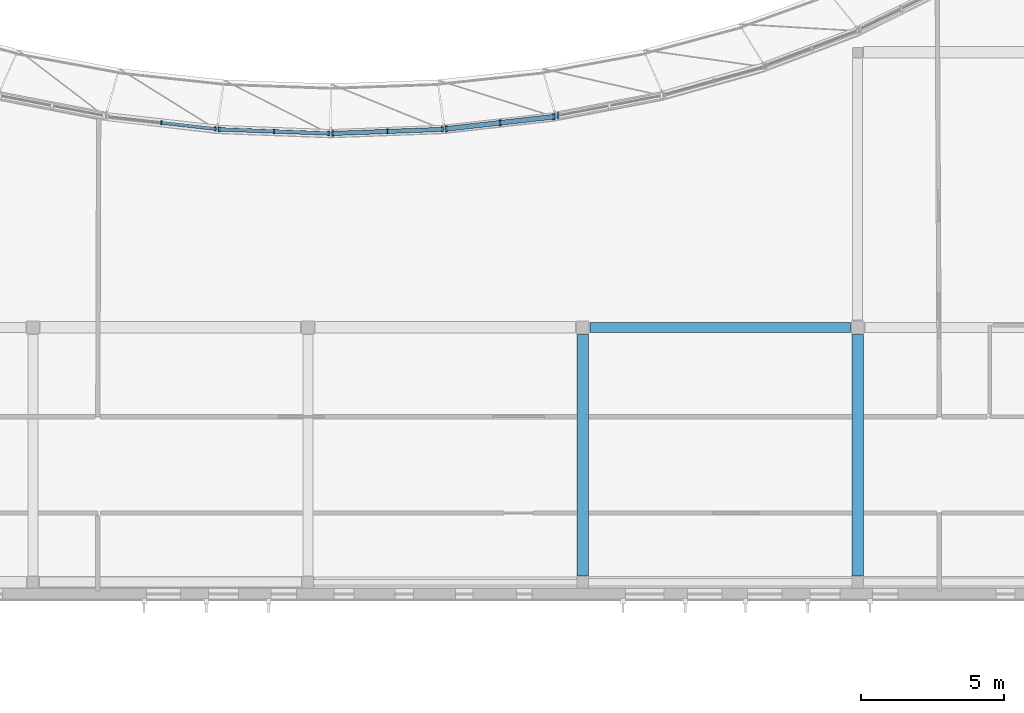
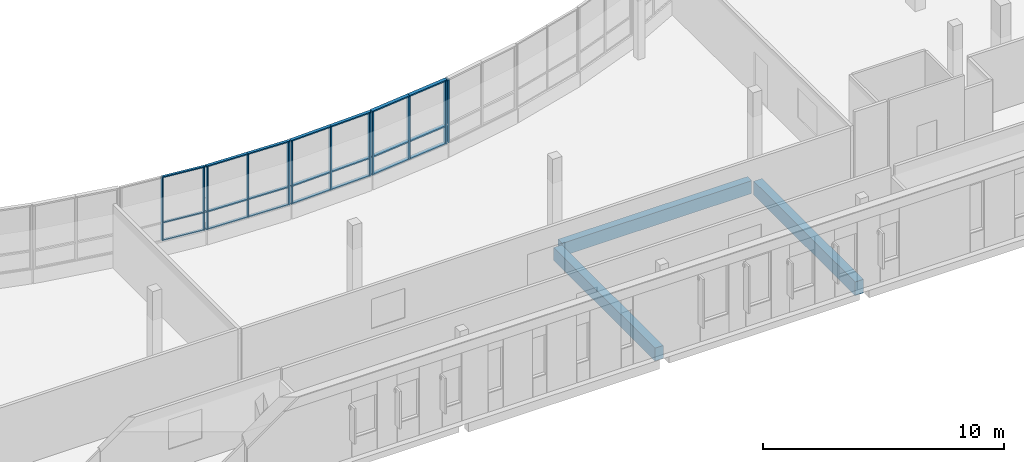
# One storey, part 14 of 73: 33 members, 3 beams, 5 elements without a shape of their own.
"""IFC4 building model written with IfcOpenShell, lengths in metres."""

from ifc_helpers import new_model, si_unit, direction, frame, origin, origin_2d, place, context, subcontext, project, spatial, rectangle, extrude, material, material_profile, profile_set, type_object, element, aggregate, save


model = new_model("IFC4")

# Units and contexts
model_context = context("Model", 3, precision=1e-05, world=origin(), true_north=direction((0.0, 1.0)))
body_context = subcontext(model_context, "Body", "Model", "MODEL_VIEW")
ifc_project = project(units=[si_unit("LENGTHUNIT", "METRE"), si_unit("AREAUNIT", "SQUARE_METRE"), si_unit("VOLUMEUNIT", "CUBIC_METRE"), si_unit("PLANEANGLEUNIT", "RADIAN"), si_unit("MASSUNIT", "GRAM", prefix="KILO")], contexts=[model_context])

# Site, building, storey
site_placement = place(None, origin())
site = spatial("IfcSite", under=ifc_project, at=site_placement, CompositionType="ELEMENT")
building_placement = place(site_placement, origin())
building = spatial("IfcBuilding", under=site, at=building_placement, Name="Mzevani Central Library", CompositionType="ELEMENT")
storey_placement = place(building_placement, frame((0.0, 0.0, 9.60009765625)))
storey = spatial("IfcBuildingStorey", under=building, at=storey_placement, Name="L02", CompositionType="ELEMENT", Elevation=9.60009765625)

# Beams
ifc_material_1 = material(Name="Concrete C35/45", Category="concrete")
ifc_material_profile_1 = material_profile(ifc_material_1, rectangle(XDim=0.35009765625, YDim=0.64990234375, at=origin_2d()), Name="RC B350x650")
ifc_profile_set_1 = profile_set([ifc_material_profile_1], Name="Concrete C35/45")
beam_type_1 = type_object("IfcBeamType", Name="Beam RC 350x650", PredefinedType="BEAM", material=ifc_profile_set_1)
beam_1_placement = place(storey_placement, frame((93.050048828125, 52.0, -0.585205078125), z_axis=(1.0, 0.0, 0.0), x_axis=(0.0, 1.0, 0.0)))
element("IfcBeam", 1, at=beam_1_placement, inside=storey, type_object=beam_type_1, Name="L02 V1 Girder B-05 (96)", PredefinedType="BEAM", context=body_context, shape_type="SweptSolid", body=[
    extrude(rectangle(XDim=0.35009765625, YDim=0.64990234375, at=origin_2d()), origin(), (0.0, 0.0, 1.0), 9.099853515625),
])
ifc_material_profile_2 = material_profile(ifc_material_1, rectangle(XDim=0.39990234375, YDim=0.64990234375, at=origin_2d()), Name="RC B400x650")
ifc_profile_set_2 = profile_set([ifc_material_profile_2], Name="Concrete C35/45")
beam_type_2 = type_object("IfcBeamType", Name="Beam RC 400x650", PredefinedType="BEAM", material=ifc_profile_set_2)
beam_2_placement = place(storey_placement, frame((92.800048828125, 43.324951171875, -0.585205078125), z_axis=(0.0, 1.0, 0.0), x_axis=(-1.0, 0.0, 0.0)))
element("IfcBeam", 2, at=beam_2_placement, inside=storey, type_object=beam_type_2, Name="L02 V1 Frame Beam B-07 (122)", PredefinedType="BEAM", context=body_context, shape_type="SweptSolid", body=[
    extrude(rectangle(XDim=0.39990234375, YDim=0.64990234375, at=origin_2d()), origin(), (0.0, 0.0, 1.0), 8.425048828125),
])
ifc_material_profile_3 = material_profile(ifc_material_1, rectangle(XDim=0.39990234375, YDim=0.699951171875, at=origin_2d()), Name="RC B400x700")
ifc_profile_set_3 = profile_set([ifc_material_profile_3], Name="Concrete C35/45")
beam_type_3 = type_object("IfcBeamType", Name="Beam RC 400x700", PredefinedType="BEAM", material=ifc_profile_set_3)
beam_3_placement = place(storey_placement, frame((102.39990234375, 43.324951171875, -0.610107421875), z_axis=(0.0, 1.0, 0.0), x_axis=(-1.0, 0.0, 0.0)))
element("IfcBeam", 3, at=beam_3_placement, inside=storey, type_object=beam_type_3, Name="L02 V1 Frame Beam B-08 (123)", PredefinedType="BEAM", context=body_context, shape_type="SweptSolid", body=[
    extrude(rectangle(XDim=0.39990234375, YDim=0.699951171875, at=origin_2d()), origin(), (0.0, 0.0, 1.0), 8.425048828125),
])

# Curtain wall, members
ifc_material_2 = material(Name="Thermally broken aluminium and Low-E triple glazing", Category="aluminium")
curtain_wall_type_1 = type_object("IfcCurtainWallType", Name="Elliptical Court Unitised Curtain Wall", PredefinedType="NOTDEFINED", material=ifc_material_2)
curtain_wall_1_placement = place(storey_placement, origin())
curtain_wall_1 = element("IfcCurtainWall", 4, at=curtain_wall_1_placement, inside=storey, type_object=curtain_wall_type_1, Name="L02 Elliptical Court Curtain Wall 35", PredefinedType="NOTDEFINED")
ifc_material_3 = material(Name="Thermally broken aluminium AW-6060", Category="aluminium")
ifc_material_profile_4 = material_profile(ifc_material_3, rectangle(XDim=0.06005859375, YDim=0.139892578125, at=origin_2d()), Name="ALU M60x140")
ifc_profile_set_4 = profile_set([ifc_material_profile_4], Name="Thermally broken aluminium AW-6060")
member_type_1 = type_object("IfcMemberType", Name="CW Mullion 60x140", PredefinedType="MULLION", material=ifc_profile_set_4)
member_1_placement = place(storey_placement, frame((78.0869140625, 59.142578125, 0.719970703125), z_axis=(0.0, 0.0, 1.0), x_axis=(1.0, 0.0, 0.0)))
member_1 = element("IfcMember", 5, at=member_1_placement, type_object=member_type_1, Name="L02 Elliptical Court Curtain Wall 35 Mullion 2", PredefinedType="MULLION", context=body_context, shape_type="SweptSolid", body=[
    extrude(rectangle(XDim=0.06005859375, YDim=0.139892578125, at=origin_2d()), origin(), (0.0, 0.0, 1.0), 3.199951171875),
])
member_2_placement = place(storey_placement, frame((79.961669921875, 58.93115234375, 0.719970703125), z_axis=(0.0, 0.0, 1.0), x_axis=(1.0, 0.0, 0.0)))
member_2 = element("IfcMember", 6, at=member_2_placement, type_object=member_type_1, Name="L02 Elliptical Court Curtain Wall 35 Mullion 3", PredefinedType="MULLION", context=body_context, shape_type="SweptSolid", body=[
    extrude(rectangle(XDim=0.06005859375, YDim=0.139892578125, at=origin_2d()), origin(), (0.0, 0.0, 1.0), 3.199951171875),
])

curtain_wall_2_placement = place(storey_placement, origin())
curtain_wall_2 = element("IfcCurtainWall", 7, at=curtain_wall_2_placement, inside=storey, type_object=curtain_wall_type_1, Name="L02 Elliptical Court Curtain Wall 36", PredefinedType="NOTDEFINED")
ifc_material_profile_5 = material_profile(ifc_material_3, rectangle(XDim=0.06005859375, YDim=0.159912109375, at=origin_2d()), Name="ALU M60x160")
ifc_profile_set_5 = profile_set([ifc_material_profile_5], Name="Thermally broken aluminium AW-6060")
member_type_2 = type_object("IfcMemberType", Name="CW Mullion 60x160", PredefinedType="MULLION", material=ifc_profile_set_5)
member_3_placement = place(storey_placement, frame((80.10888671875, 58.912841796875, 0.719970703125), z_axis=(0.0, 0.0, 1.0), x_axis=(1.0, 0.0, 0.0)))
member_3 = element("IfcMember", 8, at=member_3_placement, type_object=member_type_2, Name="L02 Elliptical Court Curtain Wall 36 Mullion 1", PredefinedType="MULLION", context=body_context, shape_type="SweptSolid", body=[
    extrude(rectangle(XDim=0.06005859375, YDim=0.159912109375, at=origin_2d()), origin(), (0.0, 0.0, 1.0), 3.199951171875),
])
member_4_placement = place(storey_placement, frame((82.016845703125, 58.841796875, 0.719970703125), z_axis=(0.0, 0.0, 1.0), x_axis=(1.0, 0.0, 0.0)))
member_4 = element("IfcMember", 9, at=member_4_placement, type_object=member_type_2, Name="L02 Elliptical Court Curtain Wall 36 Mullion 2", PredefinedType="MULLION", context=body_context, shape_type="SweptSolid", body=[
    extrude(rectangle(XDim=0.06005859375, YDim=0.159912109375, at=origin_2d()), origin(), (0.0, 0.0, 1.0), 3.199951171875),
])
member_5_placement = place(storey_placement, frame((83.9248046875, 58.77099609375, 0.719970703125), z_axis=(0.0, 0.0, 1.0), x_axis=(1.0, 0.0, 0.0)))
member_5 = element("IfcMember", 10, at=member_5_placement, type_object=member_type_2, Name="L02 Elliptical Court Curtain Wall 36 Mullion 3", PredefinedType="MULLION", context=body_context, shape_type="SweptSolid", body=[
    extrude(rectangle(XDim=0.06005859375, YDim=0.159912109375, at=origin_2d()), origin(), (0.0, 0.0, 1.0), 3.199951171875),
])

curtain_wall_type_2 = type_object("IfcCurtainWallType", Name="Reading Hall Northlight Curtain Wall", PredefinedType="NOTDEFINED", material=ifc_material_2)
curtain_wall_3_placement = place(storey_placement, origin())
curtain_wall_3 = element("IfcCurtainWall", 11, at=curtain_wall_3_placement, inside=storey, type_object=curtain_wall_type_2, Name="L02 Elliptical Court Curtain Wall 37", PredefinedType="NOTDEFINED")
ifc_material_profile_6 = material_profile(ifc_material_3, rectangle(XDim=0.06005859375, YDim=0.179931640625, at=origin_2d()), Name="ALU M60x180")
ifc_profile_set_6 = profile_set([ifc_material_profile_6], Name="Thermally broken aluminium AW-6060")
member_type_3 = type_object("IfcMemberType", Name="CW Mullion 60x180", PredefinedType="MULLION", material=ifc_profile_set_6)
member_6_placement = place(storey_placement, frame((84.0751953125, 58.77099609375, 0.719970703125), z_axis=(0.0, 0.0, 1.0), x_axis=(1.0, 0.0, 0.0)))
member_6 = element("IfcMember", 12, at=member_6_placement, type_object=member_type_3, Name="L02 Elliptical Court Curtain Wall 37 Mullion 1", PredefinedType="MULLION", context=body_context, shape_type="SweptSolid", body=[
    extrude(rectangle(XDim=0.06005859375, YDim=0.179931640625, at=origin_2d()), origin(), (0.0, 0.0, 1.0), 3.199951171875),
])
member_7_placement = place(storey_placement, frame((85.983154296875, 58.841796875, 0.719970703125), z_axis=(0.0, 0.0, 1.0), x_axis=(1.0, 0.0, 0.0)))
member_7 = element("IfcMember", 13, at=member_7_placement, type_object=member_type_3, Name="L02 Elliptical Court Curtain Wall 37 Mullion 2", PredefinedType="MULLION", context=body_context, shape_type="SweptSolid", body=[
    extrude(rectangle(XDim=0.06005859375, YDim=0.179931640625, at=origin_2d()), origin(), (0.0, 0.0, 1.0), 3.199951171875),
])
member_8_placement = place(storey_placement, frame((87.89111328125, 58.912841796875, 0.719970703125), z_axis=(0.0, 0.0, 1.0), x_axis=(1.0, 0.0, 0.0)))
member_8 = element("IfcMember", 14, at=member_8_placement, type_object=member_type_3, Name="L02 Elliptical Court Curtain Wall 37 Mullion 3", PredefinedType="MULLION", context=body_context, shape_type="SweptSolid", body=[
    extrude(rectangle(XDim=0.06005859375, YDim=0.179931640625, at=origin_2d()), origin(), (0.0, 0.0, 1.0), 3.199951171875),
])

curtain_wall_4_placement = place(storey_placement, origin())
curtain_wall_4 = element("IfcCurtainWall", 15, at=curtain_wall_4_placement, inside=storey, type_object=curtain_wall_type_1, Name="L02 Elliptical Court Curtain Wall 38", PredefinedType="NOTDEFINED")
ifc_material_profile_7 = material_profile(ifc_material_3, rectangle(XDim=0.06494140625, YDim=0.199951171875, at=origin_2d()), Name="ALU M65x200")
ifc_profile_set_7 = profile_set([ifc_material_profile_7], Name="Thermally broken aluminium AW-6060")
member_type_4 = type_object("IfcMemberType", Name="CW Mullion 65x200", PredefinedType="MULLION", material=ifc_profile_set_7)
member_9_placement = place(storey_placement, frame((88.038330078125, 58.93115234375, 0.719970703125), z_axis=(0.0, 0.0, 1.0), x_axis=(1.0, 0.0, 0.0)))
member_9 = element("IfcMember", 16, at=member_9_placement, type_object=member_type_4, Name="L02 Elliptical Court Curtain Wall 38 Mullion 1", PredefinedType="MULLION", context=body_context, shape_type="SweptSolid", body=[
    extrude(rectangle(XDim=0.06494140625, YDim=0.199951171875, at=origin_2d()), origin(), (0.0, 0.0, 1.0), 3.199951171875),
])
member_10_placement = place(storey_placement, frame((89.9130859375, 59.142578125, 0.719970703125), z_axis=(0.0, 0.0, 1.0), x_axis=(1.0, 0.0, 0.0)))
member_10 = element("IfcMember", 17, at=member_10_placement, type_object=member_type_4, Name="L02 Elliptical Court Curtain Wall 38 Mullion 2", PredefinedType="MULLION", context=body_context, shape_type="SweptSolid", body=[
    extrude(rectangle(XDim=0.06494140625, YDim=0.199951171875, at=origin_2d()), origin(), (0.0, 0.0, 1.0), 3.199951171875),
])
member_11_placement = place(storey_placement, frame((91.787841796875, 59.354248046875, 0.719970703125), z_axis=(0.0, 0.0, 1.0), x_axis=(1.0, 0.0, 0.0)))
member_11 = element("IfcMember", 18, at=member_11_placement, type_object=member_type_4, Name="L02 Elliptical Court Curtain Wall 38 Mullion 3", PredefinedType="MULLION", context=body_context, shape_type="SweptSolid", body=[
    extrude(rectangle(XDim=0.06494140625, YDim=0.199951171875, at=origin_2d()), origin(), (0.0, 0.0, 1.0), 3.199951171875),
])

# Curtain wall, member
curtain_wall_5_placement = place(storey_placement, origin())
curtain_wall_5 = element("IfcCurtainWall", 19, at=curtain_wall_5_placement, inside=storey, type_object=curtain_wall_type_1, Name="L02 Elliptical Court Curtain Wall 39", PredefinedType="NOTDEFINED")
ifc_material_profile_8 = material_profile(ifc_material_3, rectangle(XDim=0.070068359375, YDim=0.219970703125, at=origin_2d()), Name="ALU M70x220")
ifc_profile_set_8 = profile_set([ifc_material_profile_8], Name="Thermally broken aluminium AW-6060")
member_type_5 = type_object("IfcMemberType", Name="CW Mullion 70x220", PredefinedType="MULLION", material=ifc_profile_set_8)
member_12_placement = place(storey_placement, frame((91.9267578125, 59.387939453125, 0.719970703125), z_axis=(0.0, 0.0, 1.0), x_axis=(1.0, 0.0, 0.0)))
member_12 = element("IfcMember", 20, at=member_12_placement, type_object=member_type_5, Name="L02 Elliptical Court Curtain Wall 39 Mullion 1", PredefinedType="MULLION", context=body_context, shape_type="SweptSolid", body=[
    extrude(rectangle(XDim=0.070068359375, YDim=0.219970703125, at=origin_2d()), origin(), (0.0, 0.0, 1.0), 3.199951171875),
])
aggregate(curtain_wall_5, [member_12])

# Member
ifc_material_profile_9 = material_profile(ifc_material_3, rectangle(XDim=0.110107421875, YDim=0.06005859375, at=origin_2d()), Name="ALU T60x110")
ifc_profile_set_9 = profile_set([ifc_material_profile_9], Name="Thermally broken aluminium AW-6060")
member_type_6 = type_object("IfcMemberType", Name="CW Transom 60x110", PredefinedType="USERDEFINED", material=ifc_profile_set_9)
member_13_placement = place(storey_placement, frame((78.0869140625, 59.142578125, 0.719970703125), z_axis=(0.993700995869, -0.11206395856, 0.0), x_axis=(0.11206395856, 0.993700995869, 0.0)))
member_13 = element("IfcMember", 21, at=member_13_placement, type_object=member_type_6, Name="L02 Elliptical Court Curtain Wall 35 Transom 4", ObjectType="TRANSOM", PredefinedType="USERDEFINED", context=body_context, shape_type="SweptSolid", body=[
    extrude(rectangle(XDim=0.110107421875, YDim=0.06005859375, at=origin_2d()), origin(), (0.0, 0.0, 1.0), 1.936767578125),
])

member_14_placement = place(storey_placement, frame((78.0869140625, 59.142578125, 1.619873046875), z_axis=(0.993700995869, -0.11206395856, 0.0), x_axis=(0.11206395856, 0.993700995869, 0.0)))
member_14 = element("IfcMember", 22, at=member_14_placement, type_object=member_type_6, Name="L02 Elliptical Court Curtain Wall 35 Transom 5", ObjectType="TRANSOM", PredefinedType="USERDEFINED", context=body_context, shape_type="SweptSolid", body=[
    extrude(rectangle(XDim=0.110107421875, YDim=0.06005859375, at=origin_2d()), origin(), (0.0, 0.0, 1.0), 1.936767578125),
])

member_15_placement = place(storey_placement, frame((78.0869140625, 59.142578125, 3.919921875), z_axis=(0.993700995869, -0.11206395856, 0.0), x_axis=(0.11206395856, 0.993700995869, 0.0)))
member_15 = element("IfcMember", 23, at=member_15_placement, type_object=member_type_6, Name="L02 Elliptical Court Curtain Wall 35 Transom 6", ObjectType="TRANSOM", PredefinedType="USERDEFINED", context=body_context, shape_type="SweptSolid", body=[
    extrude(rectangle(XDim=0.110107421875, YDim=0.06005859375, at=origin_2d()), origin(), (0.0, 0.0, 1.0), 1.936767578125),
])

aggregate(curtain_wall_1, [member_1, member_2, member_13, member_14, member_15])

ifc_material_profile_10 = material_profile(ifc_material_3, rectangle(XDim=0.1298828125, YDim=0.06005859375, at=origin_2d()), Name="ALU T60x130")
ifc_profile_set_10 = profile_set([ifc_material_profile_10], Name="Thermally broken aluminium AW-6060")
member_type_7 = type_object("IfcMemberType", Name="CW Transom 60x130", PredefinedType="USERDEFINED", material=ifc_profile_set_10)
member_16_placement = place(storey_placement, frame((80.05908203125, 58.914794921875, 0.719970703125), z_axis=(0.999305584511, -0.037260552409, 0.0), x_axis=(0.037260552409, 0.999305584511, 0.0)))
member_16 = element("IfcMember", 24, at=member_16_placement, type_object=member_type_7, Name="L02 Elliptical Court Curtain Wall 36 Transom 1", ObjectType="TRANSOM", PredefinedType="USERDEFINED", context=body_context, shape_type="SweptSolid", body=[
    extrude(rectangle(XDim=0.1298828125, YDim=0.06005859375, at=origin_2d()), origin(), (0.0, 0.0, 1.0), 1.959228515625),
])

member_17_placement = place(storey_placement, frame((80.05908203125, 58.914794921875, 1.619873046875), z_axis=(0.999305584511, -0.037260552409, 0.0), x_axis=(0.037260552409, 0.999305584511, 0.0)))
member_17 = element("IfcMember", 25, at=member_17_placement, type_object=member_type_7, Name="L02 Elliptical Court Curtain Wall 36 Transom 2", ObjectType="TRANSOM", PredefinedType="USERDEFINED", context=body_context, shape_type="SweptSolid", body=[
    extrude(rectangle(XDim=0.1298828125, YDim=0.06005859375, at=origin_2d()), origin(), (0.0, 0.0, 1.0), 1.959228515625),
])

member_18_placement = place(storey_placement, frame((80.05908203125, 58.914794921875, 3.919921875), z_axis=(0.999305584511, -0.037260552409, 0.0), x_axis=(0.037260552409, 0.999305584511, 0.0)))
member_18 = element("IfcMember", 26, at=member_18_placement, type_object=member_type_7, Name="L02 Elliptical Court Curtain Wall 36 Transom 3", ObjectType="TRANSOM", PredefinedType="USERDEFINED", context=body_context, shape_type="SweptSolid", body=[
    extrude(rectangle(XDim=0.1298828125, YDim=0.06005859375, at=origin_2d()), origin(), (0.0, 0.0, 1.0), 1.959228515625),
])

member_19_placement = place(storey_placement, frame((82.016845703125, 58.841796875, 0.719970703125), z_axis=(0.999310216866, -0.037136107323, 0.0), x_axis=(0.037136107323, 0.999310216866, 0.0)))
member_19 = element("IfcMember", 27, at=member_19_placement, type_object=member_type_7, Name="L02 Elliptical Court Curtain Wall 36 Transom 4", ObjectType="TRANSOM", PredefinedType="USERDEFINED", context=body_context, shape_type="SweptSolid", body=[
    extrude(rectangle(XDim=0.1298828125, YDim=0.06005859375, at=origin_2d()), origin(), (0.0, 0.0, 1.0), 1.959228515625),
])

member_20_placement = place(storey_placement, frame((82.016845703125, 58.841796875, 1.619873046875), z_axis=(0.999310216866, -0.037136107323, 0.0), x_axis=(0.037136107323, 0.999310216866, 0.0)))
member_20 = element("IfcMember", 28, at=member_20_placement, type_object=member_type_7, Name="L02 Elliptical Court Curtain Wall 36 Transom 5", ObjectType="TRANSOM", PredefinedType="USERDEFINED", context=body_context, shape_type="SweptSolid", body=[
    extrude(rectangle(XDim=0.1298828125, YDim=0.06005859375, at=origin_2d()), origin(), (0.0, 0.0, 1.0), 1.959228515625),
])

member_21_placement = place(storey_placement, frame((82.016845703125, 58.841796875, 3.919921875), z_axis=(0.999310216866, -0.037136107323, 0.0), x_axis=(0.037136107323, 0.999310216866, 0.0)))
member_21 = element("IfcMember", 29, at=member_21_placement, type_object=member_type_7, Name="L02 Elliptical Court Curtain Wall 36 Transom 6", ObjectType="TRANSOM", PredefinedType="USERDEFINED", context=body_context, shape_type="SweptSolid", body=[
    extrude(rectangle(XDim=0.1298828125, YDim=0.06005859375, at=origin_2d()), origin(), (0.0, 0.0, 1.0), 1.959228515625),
])

aggregate(curtain_wall_2, [member_3, member_4, member_5, member_16, member_17, member_18, member_19, member_20, member_21])

ifc_material_profile_11 = material_profile(ifc_material_3, rectangle(XDim=0.14990234375, YDim=0.06005859375, at=origin_2d()), Name="ALU T60x150")
ifc_profile_set_11 = profile_set([ifc_material_profile_11], Name="Thermally broken aluminium AW-6060")
member_type_8 = type_object("IfcMemberType", Name="CW Transom 60x150", PredefinedType="USERDEFINED", material=ifc_profile_set_11)
member_22_placement = place(storey_placement, frame((84.025390625, 58.76904296875, 0.719970703125), z_axis=(0.999310216866, 0.037136107323, 0.0), x_axis=(-0.037136107323, 0.999310216866, 0.0)))
member_22 = element("IfcMember", 30, at=member_22_placement, type_object=member_type_8, Name="L02 Elliptical Court Curtain Wall 37 Transom 1", ObjectType="TRANSOM", PredefinedType="USERDEFINED", context=body_context, shape_type="SweptSolid", body=[
    extrude(rectangle(XDim=0.14990234375, YDim=0.06005859375, at=origin_2d()), origin(), (0.0, 0.0, 1.0), 1.959228515625),
])

member_23_placement = place(storey_placement, frame((84.025390625, 58.76904296875, 1.619873046875), z_axis=(0.999310216866, 0.037136107323, 0.0), x_axis=(-0.037136107323, 0.999310216866, 0.0)))
member_23 = element("IfcMember", 31, at=member_23_placement, type_object=member_type_8, Name="L02 Elliptical Court Curtain Wall 37 Transom 2", ObjectType="TRANSOM", PredefinedType="USERDEFINED", context=body_context, shape_type="SweptSolid", body=[
    extrude(rectangle(XDim=0.14990234375, YDim=0.06005859375, at=origin_2d()), origin(), (0.0, 0.0, 1.0), 1.959228515625),
])

member_24_placement = place(storey_placement, frame((84.025390625, 58.76904296875, 3.919921875), z_axis=(0.999310216866, 0.037136107323, 0.0), x_axis=(-0.037136107323, 0.999310216866, 0.0)))
member_24 = element("IfcMember", 32, at=member_24_placement, type_object=member_type_8, Name="L02 Elliptical Court Curtain Wall 37 Transom 3", ObjectType="TRANSOM", PredefinedType="USERDEFINED", context=body_context, shape_type="SweptSolid", body=[
    extrude(rectangle(XDim=0.14990234375, YDim=0.06005859375, at=origin_2d()), origin(), (0.0, 0.0, 1.0), 1.959228515625),
])

member_25_placement = place(storey_placement, frame((85.983154296875, 58.841796875, 0.719970703125), z_axis=(0.999305584511, 0.037260552409, 0.0), x_axis=(-0.037260552409, 0.999305584511, 0.0)))
member_25 = element("IfcMember", 33, at=member_25_placement, type_object=member_type_8, Name="L02 Elliptical Court Curtain Wall 37 Transom 4", ObjectType="TRANSOM", PredefinedType="USERDEFINED", context=body_context, shape_type="SweptSolid", body=[
    extrude(rectangle(XDim=0.14990234375, YDim=0.06005859375, at=origin_2d()), origin(), (0.0, 0.0, 1.0), 1.959228515625),
])

member_26_placement = place(storey_placement, frame((85.983154296875, 58.841796875, 1.619873046875), z_axis=(0.999305584511, 0.037260552409, 0.0), x_axis=(-0.037260552409, 0.999305584511, 0.0)))
member_26 = element("IfcMember", 34, at=member_26_placement, type_object=member_type_8, Name="L02 Elliptical Court Curtain Wall 37 Transom 5", ObjectType="TRANSOM", PredefinedType="USERDEFINED", context=body_context, shape_type="SweptSolid", body=[
    extrude(rectangle(XDim=0.14990234375, YDim=0.06005859375, at=origin_2d()), origin(), (0.0, 0.0, 1.0), 1.959228515625),
])

member_27_placement = place(storey_placement, frame((85.983154296875, 58.841796875, 3.919921875), z_axis=(0.999305584511, 0.037260552409, 0.0), x_axis=(-0.037260552409, 0.999305584511, 0.0)))
member_27 = element("IfcMember", 35, at=member_27_placement, type_object=member_type_8, Name="L02 Elliptical Court Curtain Wall 37 Transom 6", ObjectType="TRANSOM", PredefinedType="USERDEFINED", context=body_context, shape_type="SweptSolid", body=[
    extrude(rectangle(XDim=0.14990234375, YDim=0.06005859375, at=origin_2d()), origin(), (0.0, 0.0, 1.0), 1.959228515625),
])

aggregate(curtain_wall_3, [member_6, member_7, member_8, member_22, member_23, member_24, member_25, member_26, member_27])

ifc_material_profile_12 = material_profile(ifc_material_3, rectangle(XDim=0.169921875, YDim=0.06494140625, at=origin_2d()), Name="ALU T65x170")
ifc_profile_set_12 = profile_set([ifc_material_profile_12], Name="Thermally broken aluminium AW-6060")
member_type_9 = type_object("IfcMemberType", Name="CW Transom 65x170", PredefinedType="USERDEFINED", material=ifc_profile_set_12)
member_28_placement = place(storey_placement, frame((87.988525390625, 58.925537109375, 0.719970703125), z_axis=(0.993700995869, 0.11206395856, 0.0), x_axis=(-0.11206395856, 0.993700995869, 0.0)))
member_28 = element("IfcMember", 36, at=member_28_placement, type_object=member_type_9, Name="L02 Elliptical Court Curtain Wall 38 Transom 1", ObjectType="TRANSOM", PredefinedType="USERDEFINED", context=body_context, shape_type="SweptSolid", body=[
    extrude(rectangle(XDim=0.169921875, YDim=0.06494140625, at=origin_2d()), origin(), (0.0, 0.0, 1.0), 1.936767578125),
])

member_29_placement = place(storey_placement, frame((87.988525390625, 58.925537109375, 1.619873046875), z_axis=(0.993700995869, 0.11206395856, 0.0), x_axis=(-0.11206395856, 0.993700995869, 0.0)))
member_29 = element("IfcMember", 37, at=member_29_placement, type_object=member_type_9, Name="L02 Elliptical Court Curtain Wall 38 Transom 2", ObjectType="TRANSOM", PredefinedType="USERDEFINED", context=body_context, shape_type="SweptSolid", body=[
    extrude(rectangle(XDim=0.169921875, YDim=0.06494140625, at=origin_2d()), origin(), (0.0, 0.0, 1.0), 1.936767578125),
])

member_30_placement = place(storey_placement, frame((87.988525390625, 58.925537109375, 3.919921875), z_axis=(0.993700995869, 0.11206395856, 0.0), x_axis=(-0.11206395856, 0.993700995869, 0.0)))
member_30 = element("IfcMember", 38, at=member_30_placement, type_object=member_type_9, Name="L02 Elliptical Court Curtain Wall 38 Transom 3", ObjectType="TRANSOM", PredefinedType="USERDEFINED", context=body_context, shape_type="SweptSolid", body=[
    extrude(rectangle(XDim=0.169921875, YDim=0.06494140625, at=origin_2d()), origin(), (0.0, 0.0, 1.0), 1.936767578125),
])

member_31_placement = place(storey_placement, frame((89.9130859375, 59.142578125, 0.719970703125), z_axis=(0.993685364048, 0.11220248338, 0.0), x_axis=(-0.11220248338, 0.993685364048, 0.0)))
member_31 = element("IfcMember", 39, at=member_31_placement, type_object=member_type_9, Name="L02 Elliptical Court Curtain Wall 38 Transom 4", ObjectType="TRANSOM", PredefinedType="USERDEFINED", context=body_context, shape_type="SweptSolid", body=[
    extrude(rectangle(XDim=0.169921875, YDim=0.06494140625, at=origin_2d()), origin(), (0.0, 0.0, 1.0), 1.9365234375),
])

member_32_placement = place(storey_placement, frame((89.9130859375, 59.142578125, 1.619873046875), z_axis=(0.993685364048, 0.11220248338, 0.0), x_axis=(-0.11220248338, 0.993685364048, 0.0)))
member_32 = element("IfcMember", 40, at=member_32_placement, type_object=member_type_9, Name="L02 Elliptical Court Curtain Wall 38 Transom 5", ObjectType="TRANSOM", PredefinedType="USERDEFINED", context=body_context, shape_type="SweptSolid", body=[
    extrude(rectangle(XDim=0.169921875, YDim=0.06494140625, at=origin_2d()), origin(), (0.0, 0.0, 1.0), 1.9365234375),
])

member_33_placement = place(storey_placement, frame((89.9130859375, 59.142578125, 3.919921875), z_axis=(0.993685364048, 0.11220248338, 0.0), x_axis=(-0.11220248338, 0.993685364048, 0.0)))
member_33 = element("IfcMember", 41, at=member_33_placement, type_object=member_type_9, Name="L02 Elliptical Court Curtain Wall 38 Transom 6", ObjectType="TRANSOM", PredefinedType="USERDEFINED", context=body_context, shape_type="SweptSolid", body=[
    extrude(rectangle(XDim=0.169921875, YDim=0.06494140625, at=origin_2d()), origin(), (0.0, 0.0, 1.0), 1.9365234375),
])

aggregate(curtain_wall_4, [member_9, member_10, member_11, member_28, member_29, member_30, member_31, member_32, member_33])

save(model, "model.ifc")
